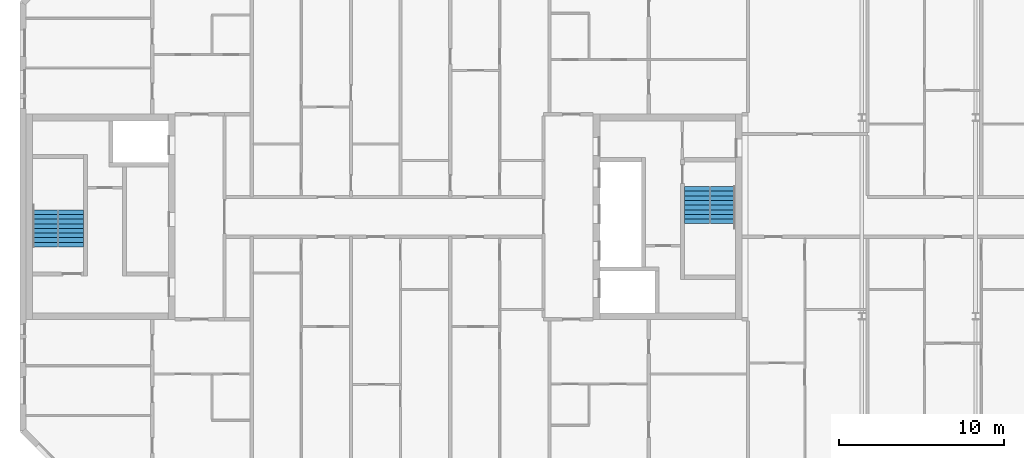
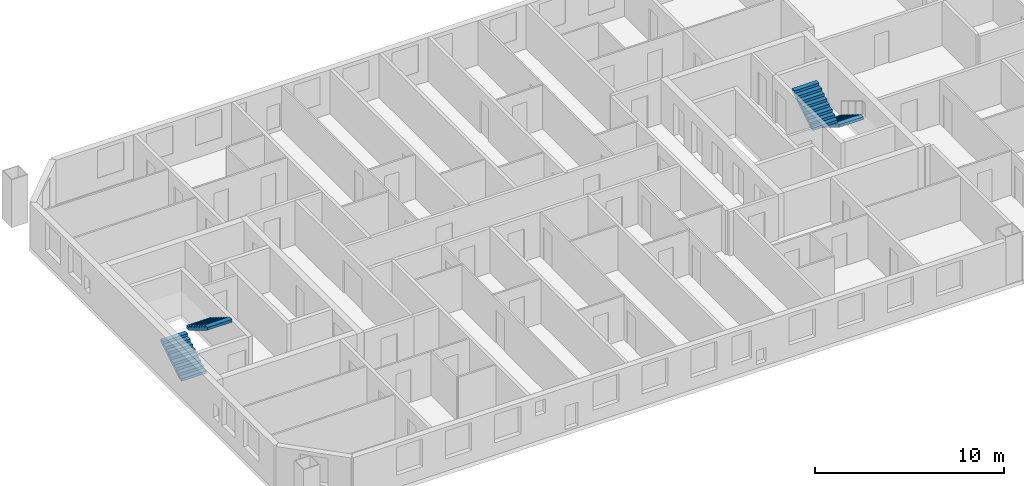
# One storey, part 18 of 19: 4 stair flights, 2 elements without a shape of their own.
"""IFC4 building model written with IfcOpenShell, lengths in metres."""

from ifc_helpers import new_model, si_unit, direction, frame, origin, place, context, subcontext, project, spatial, faceted_brep, material, type_object, element, aggregate, save


model = new_model("IFC4")

# Units and contexts
model_context = context("Model", 3, precision=1e-05, world=origin(), true_north=direction((0.0, 1.0)))
body_context = subcontext(model_context, "Body", "Model", "MODEL_VIEW")
ifc_project = project(units=[si_unit("LENGTHUNIT", "METRE"), si_unit("AREAUNIT", "SQUARE_METRE"), si_unit("VOLUMEUNIT", "CUBIC_METRE"), si_unit("PLANEANGLEUNIT", "RADIAN"), si_unit("MASSUNIT", "GRAM", prefix="KILO")], contexts=[model_context])

# Site, building, storey
site_placement = place(None, origin())
site = spatial("IfcSite", under=ifc_project, at=site_placement, CompositionType="ELEMENT")
building_placement = place(site_placement, origin())
building = spatial("IfcBuilding", under=site, at=building_placement, Name="Tuart Gate Housing", CompositionType="ELEMENT")
storey_placement = place(building_placement, frame((0.0, 0.0, 224.5)))
storey = spatial("IfcBuildingStorey", under=building, at=storey_placement, Name="L63", CompositionType="ELEMENT", Elevation=224.5)

# Stair, stair flights
ifc_material_1 = material(Name="Concrete C40", Category="concrete")
stair_type = type_object("IfcStairType", Name="Core stair 1500", PredefinedType="HALF_TURN_STAIR", material=ifc_material_1)
stair_1_placement = place(storey_placement, origin())
stair_1 = element("IfcStair", 1, at=stair_1_placement, inside=storey, type_object=stair_type, Name="Stair SA1", PredefinedType="HALF_TURN_STAIR")
ifc_material_2 = material(Name="Concrete C40", Category="concrete")
stair_flight_type = type_object("IfcStairFlightType", Name="Stair flight 1500, 9 risers 172 x 280", PredefinedType="STRAIGHT", material=ifc_material_2)
stair_flight_1_placement = place(storey_placement, frame((74.489990234375, 71.824951171875, 0.0), z_axis=(0.0, 0.0, 1.0), x_axis=(0.0, -1.0, 0.0)))
stair_flight_1 = element("IfcStairFlight", 2, at=stair_flight_1_placement, type_object=stair_flight_type, Name="SA1 flight 1", NumberOfRisers=9, NumberOfTreads=8, PredefinedType="STRAIGHT", RiserHeight=0.172222222, TreadLength=0.28, context=body_context, shape_type="Brep", body=[
    faceted_brep([(0.0, 0.75, 0.0), (0.0, 0.75, 0.172119140625), (0.280029296875, 0.75, 0.172119140625), (0.280029296875, 0.75, 0.344482421875), (0.56005859375, 0.75, 0.344482421875), (0.56005859375, 0.75, 0.5166015625), (0.840087890625, 0.75, 0.5166015625), (0.840087890625, 0.75, 0.68896484375), (1.1201171875, 0.75, 0.68896484375), (1.1201171875, 0.75, 0.861083984375), (1.39990234375, 0.75, 0.861083984375), (1.39990234375, 0.75, 1.033447265625), (1.679931640625, 0.75, 1.033447265625), (1.679931640625, 0.75, 1.20556640625), (1.9599609375, 0.75, 1.20556640625), (1.9599609375, 0.75, 1.377685546875), (2.239990234375, 0.75, 1.377685546875), (2.239990234375, 0.75, 1.201904296875), (0.2861328125, 0.75, 0.0), (0.2861328125, -0.75, 0.0), (2.239990234375, -0.75, 1.201904296875), (2.239990234375, -0.75, 1.377685546875), (1.9599609375, -0.75, 1.377685546875), (1.9599609375, -0.75, 1.20556640625), (1.679931640625, -0.75, 1.20556640625), (1.679931640625, -0.75, 1.033447265625), (1.39990234375, -0.75, 1.033447265625), (1.39990234375, -0.75, 0.861083984375), (1.1201171875, -0.75, 0.861083984375), (1.1201171875, -0.75, 0.68896484375), (0.840087890625, -0.75, 0.68896484375), (0.840087890625, -0.75, 0.5166015625), (0.56005859375, -0.75, 0.5166015625), (0.56005859375, -0.75, 0.344482421875), (0.280029296875, -0.75, 0.344482421875), (0.280029296875, -0.75, 0.172119140625), (0.0, -0.75, 0.172119140625), (0.0, -0.75, 0.0), (2.239990234375, 0.0, 1.201904296875), (0.2861328125, 0.0, 0.0), (2.239990234375, 0.0, 1.377685546875), (1.9599609375, 0.0, 1.377685546875), (1.9599609375, 0.0, 1.20556640625), (1.679931640625, 0.0, 1.20556640625), (1.679931640625, 0.0, 1.033447265625), (1.39990234375, 0.0, 1.033447265625), (1.39990234375, 0.0, 0.861083984375), (1.1201171875, 0.0, 0.861083984375), (1.1201171875, 0.0, 0.68896484375), (0.840087890625, 0.0, 0.68896484375), (0.840087890625, 0.0, 0.5166015625), (0.56005859375, 0.0, 0.5166015625), (0.56005859375, 0.0, 0.344482421875), (0.280029296875, 0.0, 0.344482421875), (0.280029296875, 0.0, 0.172119140625), (0.0, 0.0, 0.172119140625), (0.0, 0.0, 0.0)], [[[0, 1, 2, 3, 4, 5, 6, 7, 8, 9, 10, 11, 12, 13, 14, 15, 16, 17, 18]], [[19, 20, 21, 22, 23, 24, 25, 26, 27, 28, 29, 30, 31, 32, 33, 34, 35, 36, 37]], [[18, 17, 38, 39]], [[39, 38, 20, 19]], [[17, 16, 40, 38]], [[38, 40, 21, 20]], [[16, 15, 41, 40]], [[40, 41, 22, 21]], [[15, 14, 42, 41]], [[41, 42, 23, 22]], [[14, 13, 43, 42]], [[42, 43, 24, 23]], [[13, 12, 44, 43]], [[43, 44, 25, 24]], [[12, 11, 45, 44]], [[44, 45, 26, 25]], [[11, 10, 46, 45]], [[45, 46, 27, 26]], [[10, 9, 47, 46]], [[46, 47, 28, 27]], [[9, 8, 48, 47]], [[47, 48, 29, 28]], [[8, 7, 49, 48]], [[48, 49, 30, 29]], [[7, 6, 50, 49]], [[49, 50, 31, 30]], [[6, 5, 51, 50]], [[50, 51, 32, 31]], [[5, 4, 52, 51]], [[51, 52, 33, 32]], [[4, 3, 53, 52]], [[52, 53, 34, 33]], [[3, 2, 54, 53]], [[53, 54, 35, 34]], [[2, 1, 55, 54]], [[54, 55, 36, 35]], [[1, 0, 56, 55]], [[55, 56, 37, 36]], [[0, 18, 39, 56]], [[56, 39, 19, 37]]]),
])
stair_flight_2_placement = place(storey_placement, frame((72.9150390625, 69.5849609375, 1.550048828125), z_axis=(0.0, 0.0, 1.0), x_axis=(0.0, 1.0, 0.0)))
stair_flight_2 = element("IfcStairFlight", 3, at=stair_flight_2_placement, type_object=stair_flight_type, Name="SA1 flight 2", NumberOfRisers=9, NumberOfTreads=8, PredefinedType="STRAIGHT", RiserHeight=0.172222222, TreadLength=0.28, context=body_context, shape_type="Brep", body=[
    faceted_brep([(0.0, 0.75, 0.0), (0.0, 0.75, 0.172119140625), (0.280029296875, 0.75, 0.172119140625), (0.280029296875, 0.75, 0.344482421875), (0.56005859375, 0.75, 0.344482421875), (0.56005859375, 0.75, 0.5166015625), (0.840087890625, 0.75, 0.5166015625), (0.840087890625, 0.75, 0.68896484375), (1.1201171875, 0.75, 0.68896484375), (1.1201171875, 0.75, 0.861083984375), (1.39990234375, 0.75, 0.861083984375), (1.39990234375, 0.75, 1.033447265625), (1.679931640625, 0.75, 1.033447265625), (1.679931640625, 0.75, 1.20556640625), (1.9599609375, 0.75, 1.20556640625), (1.9599609375, 0.75, 1.377685546875), (2.239990234375, 0.75, 1.377685546875), (2.239990234375, 0.75, 1.201904296875), (0.2861328125, 0.75, 0.0), (0.2861328125, -0.75, 0.0), (2.239990234375, -0.75, 1.201904296875), (2.239990234375, -0.75, 1.377685546875), (1.9599609375, -0.75, 1.377685546875), (1.9599609375, -0.75, 1.20556640625), (1.679931640625, -0.75, 1.20556640625), (1.679931640625, -0.75, 1.033447265625), (1.39990234375, -0.75, 1.033447265625), (1.39990234375, -0.75, 0.861083984375), (1.1201171875, -0.75, 0.861083984375), (1.1201171875, -0.75, 0.68896484375), (0.840087890625, -0.75, 0.68896484375), (0.840087890625, -0.75, 0.5166015625), (0.56005859375, -0.75, 0.5166015625), (0.56005859375, -0.75, 0.344482421875), (0.280029296875, -0.75, 0.344482421875), (0.280029296875, -0.75, 0.172119140625), (0.0, -0.75, 0.172119140625), (0.0, -0.75, 0.0), (2.239990234375, 0.0, 1.201904296875), (0.2861328125, 0.0, 0.0), (2.239990234375, 0.0, 1.377685546875), (1.9599609375, 0.0, 1.377685546875), (1.9599609375, 0.0, 1.20556640625), (1.679931640625, 0.0, 1.20556640625), (1.679931640625, 0.0, 1.033447265625), (1.39990234375, 0.0, 1.033447265625), (1.39990234375, 0.0, 0.861083984375), (1.1201171875, 0.0, 0.861083984375), (1.1201171875, 0.0, 0.68896484375), (0.840087890625, 0.0, 0.68896484375), (0.840087890625, 0.0, 0.5166015625), (0.56005859375, 0.0, 0.5166015625), (0.56005859375, 0.0, 0.344482421875), (0.280029296875, 0.0, 0.344482421875), (0.280029296875, 0.0, 0.172119140625), (0.0, 0.0, 0.172119140625), (0.0, 0.0, 0.0)], [[[0, 1, 2, 3, 4, 5, 6, 7, 8, 9, 10, 11, 12, 13, 14, 15, 16, 17, 18]], [[19, 20, 21, 22, 23, 24, 25, 26, 27, 28, 29, 30, 31, 32, 33, 34, 35, 36, 37]], [[18, 17, 38, 39]], [[39, 38, 20, 19]], [[17, 16, 40, 38]], [[38, 40, 21, 20]], [[16, 15, 41, 40]], [[40, 41, 22, 21]], [[15, 14, 42, 41]], [[41, 42, 23, 22]], [[14, 13, 43, 42]], [[42, 43, 24, 23]], [[13, 12, 44, 43]], [[43, 44, 25, 24]], [[12, 11, 45, 44]], [[44, 45, 26, 25]], [[11, 10, 46, 45]], [[45, 46, 27, 26]], [[10, 9, 47, 46]], [[46, 47, 28, 27]], [[9, 8, 48, 47]], [[47, 48, 29, 28]], [[8, 7, 49, 48]], [[48, 49, 30, 29]], [[7, 6, 50, 49]], [[49, 50, 31, 30]], [[6, 5, 51, 50]], [[50, 51, 32, 31]], [[5, 4, 52, 51]], [[51, 52, 33, 32]], [[4, 3, 53, 52]], [[52, 53, 34, 33]], [[3, 2, 54, 53]], [[53, 54, 35, 34]], [[2, 1, 55, 54]], [[54, 55, 36, 35]], [[1, 0, 56, 55]], [[55, 56, 37, 36]], [[0, 18, 39, 56]], [[56, 39, 19, 37]]]),
])
aggregate(stair_1, [stair_flight_1, stair_flight_2])

stair_2_placement = place(storey_placement, origin())
stair_2 = element("IfcStair", 4, at=stair_2_placement, inside=storey, type_object=stair_type, Name="Stair SA2", PredefinedType="HALF_TURN_STAIR")
stair_flight_3_placement = place(storey_placement, frame((33.510009765625, 68.175048828125, 0.0), z_axis=(0.0, 0.0, 1.0), x_axis=(0.0, 1.0, 0.0)))
stair_flight_3 = element("IfcStairFlight", 5, at=stair_flight_3_placement, type_object=stair_flight_type, Name="SA2 flight 1", NumberOfRisers=9, NumberOfTreads=8, PredefinedType="STRAIGHT", RiserHeight=0.172222222, TreadLength=0.28, context=body_context, shape_type="Brep", body=[
    faceted_brep([(0.0, 0.75, 0.0), (0.0, 0.75, 0.172119140625), (0.280029296875, 0.75, 0.172119140625), (0.280029296875, 0.75, 0.344482421875), (0.56005859375, 0.75, 0.344482421875), (0.56005859375, 0.75, 0.5166015625), (0.840087890625, 0.75, 0.5166015625), (0.840087890625, 0.75, 0.68896484375), (1.1201171875, 0.75, 0.68896484375), (1.1201171875, 0.75, 0.861083984375), (1.39990234375, 0.75, 0.861083984375), (1.39990234375, 0.75, 1.033447265625), (1.679931640625, 0.75, 1.033447265625), (1.679931640625, 0.75, 1.20556640625), (1.9599609375, 0.75, 1.20556640625), (1.9599609375, 0.75, 1.377685546875), (2.239990234375, 0.75, 1.377685546875), (2.239990234375, 0.75, 1.201904296875), (0.2861328125, 0.75, 0.0), (0.2861328125, -0.75, 0.0), (2.239990234375, -0.75, 1.201904296875), (2.239990234375, -0.75, 1.377685546875), (1.9599609375, -0.75, 1.377685546875), (1.9599609375, -0.75, 1.20556640625), (1.679931640625, -0.75, 1.20556640625), (1.679931640625, -0.75, 1.033447265625), (1.39990234375, -0.75, 1.033447265625), (1.39990234375, -0.75, 0.861083984375), (1.1201171875, -0.75, 0.861083984375), (1.1201171875, -0.75, 0.68896484375), (0.840087890625, -0.75, 0.68896484375), (0.840087890625, -0.75, 0.5166015625), (0.56005859375, -0.75, 0.5166015625), (0.56005859375, -0.75, 0.344482421875), (0.280029296875, -0.75, 0.344482421875), (0.280029296875, -0.75, 0.172119140625), (0.0, -0.75, 0.172119140625), (0.0, -0.75, 0.0), (2.239990234375, 0.0, 1.201904296875), (0.2861328125, 0.0, 0.0), (2.239990234375, 0.0, 1.377685546875), (1.9599609375, 0.0, 1.377685546875), (1.9599609375, 0.0, 1.20556640625), (1.679931640625, 0.0, 1.20556640625), (1.679931640625, 0.0, 1.033447265625), (1.39990234375, 0.0, 1.033447265625), (1.39990234375, 0.0, 0.861083984375), (1.1201171875, 0.0, 0.861083984375), (1.1201171875, 0.0, 0.68896484375), (0.840087890625, 0.0, 0.68896484375), (0.840087890625, 0.0, 0.5166015625), (0.56005859375, 0.0, 0.5166015625), (0.56005859375, 0.0, 0.344482421875), (0.280029296875, 0.0, 0.344482421875), (0.280029296875, 0.0, 0.172119140625), (0.0, 0.0, 0.172119140625), (0.0, 0.0, 0.0)], [[[0, 1, 2, 3, 4, 5, 6, 7, 8, 9, 10, 11, 12, 13, 14, 15, 16, 17, 18]], [[19, 20, 21, 22, 23, 24, 25, 26, 27, 28, 29, 30, 31, 32, 33, 34, 35, 36, 37]], [[18, 17, 38, 39]], [[39, 38, 20, 19]], [[17, 16, 40, 38]], [[38, 40, 21, 20]], [[16, 15, 41, 40]], [[40, 41, 22, 21]], [[15, 14, 42, 41]], [[41, 42, 23, 22]], [[14, 13, 43, 42]], [[42, 43, 24, 23]], [[13, 12, 44, 43]], [[43, 44, 25, 24]], [[12, 11, 45, 44]], [[44, 45, 26, 25]], [[11, 10, 46, 45]], [[45, 46, 27, 26]], [[10, 9, 47, 46]], [[46, 47, 28, 27]], [[9, 8, 48, 47]], [[47, 48, 29, 28]], [[8, 7, 49, 48]], [[48, 49, 30, 29]], [[7, 6, 50, 49]], [[49, 50, 31, 30]], [[6, 5, 51, 50]], [[50, 51, 32, 31]], [[5, 4, 52, 51]], [[51, 52, 33, 32]], [[4, 3, 53, 52]], [[52, 53, 34, 33]], [[3, 2, 54, 53]], [[53, 54, 35, 34]], [[2, 1, 55, 54]], [[54, 55, 36, 35]], [[1, 0, 56, 55]], [[55, 56, 37, 36]], [[0, 18, 39, 56]], [[56, 39, 19, 37]]]),
])
stair_flight_4_placement = place(storey_placement, frame((35.0849609375, 70.4150390625, 1.550048828125), z_axis=(0.0, 0.0, 1.0), x_axis=(0.0, -1.0, 0.0)))
stair_flight_4 = element("IfcStairFlight", 6, at=stair_flight_4_placement, type_object=stair_flight_type, Name="SA2 flight 2", NumberOfRisers=9, NumberOfTreads=8, PredefinedType="STRAIGHT", RiserHeight=0.172222222, TreadLength=0.28, context=body_context, shape_type="Brep", body=[
    faceted_brep([(0.0, 0.75, 0.0), (0.0, 0.75, 0.172119140625), (0.280029296875, 0.75, 0.172119140625), (0.280029296875, 0.75, 0.344482421875), (0.56005859375, 0.75, 0.344482421875), (0.56005859375, 0.75, 0.5166015625), (0.840087890625, 0.75, 0.5166015625), (0.840087890625, 0.75, 0.68896484375), (1.1201171875, 0.75, 0.68896484375), (1.1201171875, 0.75, 0.861083984375), (1.39990234375, 0.75, 0.861083984375), (1.39990234375, 0.75, 1.033447265625), (1.679931640625, 0.75, 1.033447265625), (1.679931640625, 0.75, 1.20556640625), (1.9599609375, 0.75, 1.20556640625), (1.9599609375, 0.75, 1.377685546875), (2.239990234375, 0.75, 1.377685546875), (2.239990234375, 0.75, 1.201904296875), (0.2861328125, 0.75, 0.0), (0.2861328125, -0.75, 0.0), (2.239990234375, -0.75, 1.201904296875), (2.239990234375, -0.75, 1.377685546875), (1.9599609375, -0.75, 1.377685546875), (1.9599609375, -0.75, 1.20556640625), (1.679931640625, -0.75, 1.20556640625), (1.679931640625, -0.75, 1.033447265625), (1.39990234375, -0.75, 1.033447265625), (1.39990234375, -0.75, 0.861083984375), (1.1201171875, -0.75, 0.861083984375), (1.1201171875, -0.75, 0.68896484375), (0.840087890625, -0.75, 0.68896484375), (0.840087890625, -0.75, 0.5166015625), (0.56005859375, -0.75, 0.5166015625), (0.56005859375, -0.75, 0.344482421875), (0.280029296875, -0.75, 0.344482421875), (0.280029296875, -0.75, 0.172119140625), (0.0, -0.75, 0.172119140625), (0.0, -0.75, 0.0), (2.239990234375, 0.0, 1.201904296875), (0.2861328125, 0.0, 0.0), (2.239990234375, 0.0, 1.377685546875), (1.9599609375, 0.0, 1.377685546875), (1.9599609375, 0.0, 1.20556640625), (1.679931640625, 0.0, 1.20556640625), (1.679931640625, 0.0, 1.033447265625), (1.39990234375, 0.0, 1.033447265625), (1.39990234375, 0.0, 0.861083984375), (1.1201171875, 0.0, 0.861083984375), (1.1201171875, 0.0, 0.68896484375), (0.840087890625, 0.0, 0.68896484375), (0.840087890625, 0.0, 0.5166015625), (0.56005859375, 0.0, 0.5166015625), (0.56005859375, 0.0, 0.344482421875), (0.280029296875, 0.0, 0.344482421875), (0.280029296875, 0.0, 0.172119140625), (0.0, 0.0, 0.172119140625), (0.0, 0.0, 0.0)], [[[0, 1, 2, 3, 4, 5, 6, 7, 8, 9, 10, 11, 12, 13, 14, 15, 16, 17, 18]], [[19, 20, 21, 22, 23, 24, 25, 26, 27, 28, 29, 30, 31, 32, 33, 34, 35, 36, 37]], [[18, 17, 38, 39]], [[39, 38, 20, 19]], [[17, 16, 40, 38]], [[38, 40, 21, 20]], [[16, 15, 41, 40]], [[40, 41, 22, 21]], [[15, 14, 42, 41]], [[41, 42, 23, 22]], [[14, 13, 43, 42]], [[42, 43, 24, 23]], [[13, 12, 44, 43]], [[43, 44, 25, 24]], [[12, 11, 45, 44]], [[44, 45, 26, 25]], [[11, 10, 46, 45]], [[45, 46, 27, 26]], [[10, 9, 47, 46]], [[46, 47, 28, 27]], [[9, 8, 48, 47]], [[47, 48, 29, 28]], [[8, 7, 49, 48]], [[48, 49, 30, 29]], [[7, 6, 50, 49]], [[49, 50, 31, 30]], [[6, 5, 51, 50]], [[50, 51, 32, 31]], [[5, 4, 52, 51]], [[51, 52, 33, 32]], [[4, 3, 53, 52]], [[52, 53, 34, 33]], [[3, 2, 54, 53]], [[53, 54, 35, 34]], [[2, 1, 55, 54]], [[54, 55, 36, 35]], [[1, 0, 56, 55]], [[55, 56, 37, 36]], [[0, 18, 39, 56]], [[56, 39, 19, 37]]]),
])
aggregate(stair_2, [stair_flight_3, stair_flight_4])

save(model, "model.ifc")
